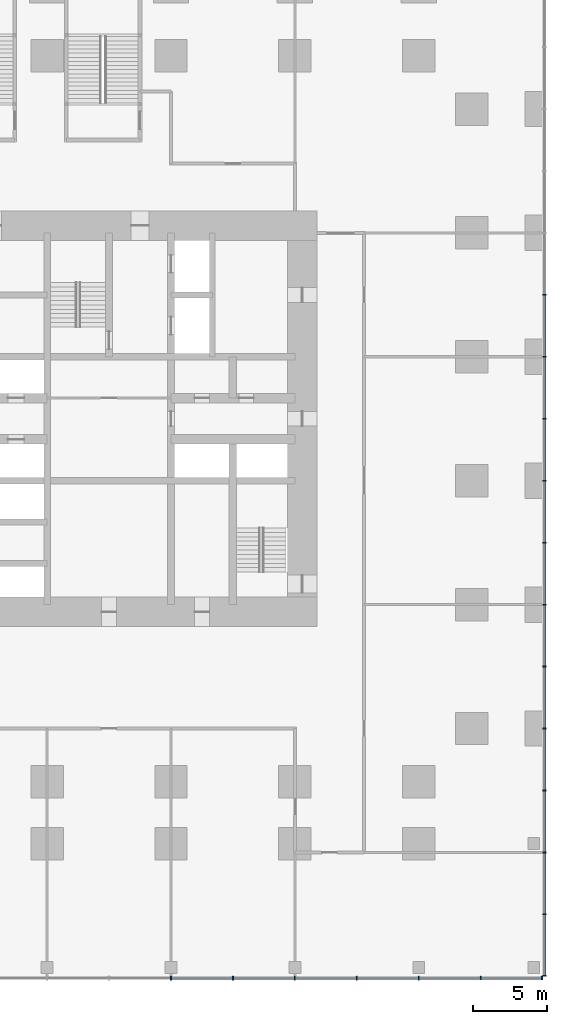
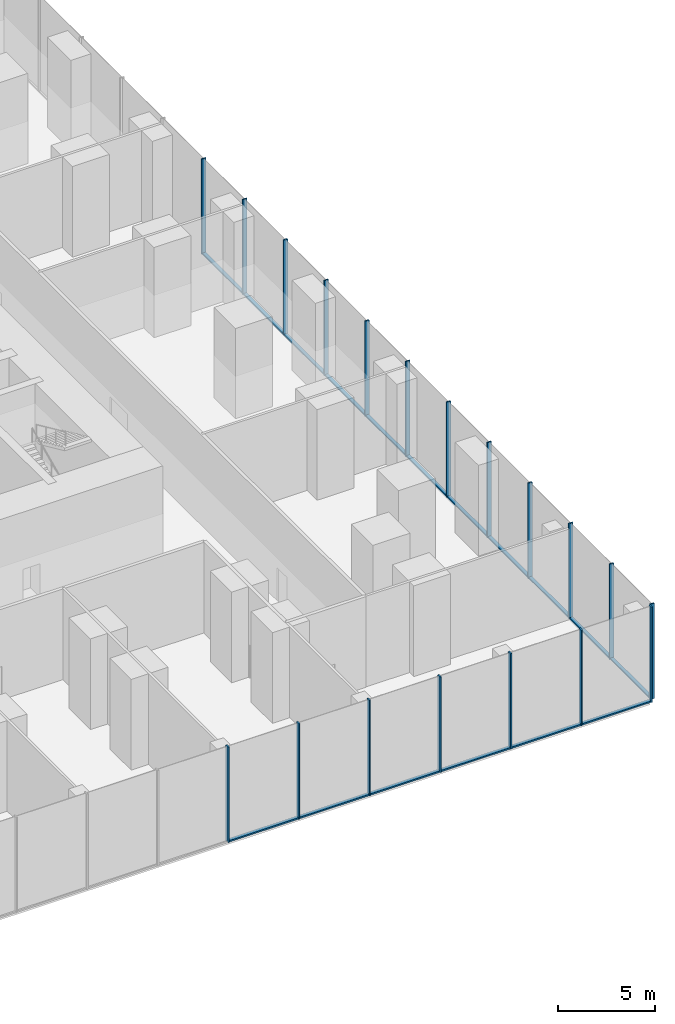
# One storey, part 19 of 32: 36 members, 2 elements without a shape of their own.
"""IFC4 building model written with IfcOpenShell, lengths in metres."""

from ifc_helpers import new_model, si_unit, direction, frame, origin, origin_2d, place, context, subcontext, project, spatial, rectangle, extrude, material, material_profile, profile_set, type_object, element, aggregate, save


model = new_model("IFC4")

# Units and contexts
model_context = context("Model", 3, precision=1e-05, world=origin(), true_north=direction((0.0, 1.0)))
body_context = subcontext(model_context, "Body", "Model", "MODEL_VIEW")
ifc_project = project(units=[si_unit("LENGTHUNIT", "METRE"), si_unit("AREAUNIT", "SQUARE_METRE"), si_unit("VOLUMEUNIT", "CUBIC_METRE"), si_unit("PLANEANGLEUNIT", "RADIAN"), si_unit("MASSUNIT", "GRAM", prefix="KILO")], contexts=[model_context])

# Site, building, storey
site_placement = place(None, origin())
site = spatial("IfcSite", under=ifc_project, at=site_placement, CompositionType="ELEMENT")
building_placement = place(site_placement, origin())
building = spatial("IfcBuilding", under=site, at=building_placement, Name="Dunama Terrace Hotel", CompositionType="ELEMENT")
storey_placement = place(building_placement, frame((0.0, 0.0, 6.0)))
storey = spatial("IfcBuildingStorey", under=building, at=storey_placement, Name="L01", CompositionType="ELEMENT", Elevation=6.0)

# Curtain wall, members
ifc_material_1 = material(Name="Aluminium curtain wall system", Category="aluminium")
curtain_wall_type = type_object("IfcCurtainWallType", Name="Podium storefront glazing CW-E", PredefinedType="NOTDEFINED", material=ifc_material_1)
curtain_wall_1_placement = place(storey_placement, origin())
curtain_wall_1 = element("IfcCurtainWall", 1, at=curtain_wall_1_placement, inside=storey, type_object=curtain_wall_type, Name="Podium storefront glazing CW-E L01", PredefinedType="NOTDEFINED")
ifc_material_2 = material(Name="Aluminium mullion", Category="aluminium")
ifc_material_profile_1 = material_profile(ifc_material_2, rectangle(XDim=0.080078125, YDim=0.25, at=origin_2d()), Name="CWE MULLION 80X250")
ifc_profile_set_1 = profile_set([ifc_material_profile_1], Name="Aluminium mullion")
member_type_1 = type_object("IfcMemberType", Name="CWE mullion 80x250", PredefinedType="MULLION", material=ifc_profile_set_1)
member_1_placement = place(storey_placement, frame((33.60009765625, -8.52490234375, 0.0), z_axis=(0.0, 0.0, 1.0), x_axis=(1.0, 0.0, 0.0)))
member_1 = element("IfcMember", 2, at=member_1_placement, type_object=member_type_1, Name="CWE mullion", PredefinedType="MULLION", context=body_context, shape_type="SweptSolid", body=[
    extrude(rectangle(XDim=0.080078125, YDim=0.25, at=origin_2d()), origin(), (0.0, 0.0, 1.0), 6.0),
])
member_2_placement = place(storey_placement, frame((37.800048828125, -8.52490234375, 0.0), z_axis=(0.0, 0.0, 1.0), x_axis=(1.0, 0.0, 0.0)))
member_2 = element("IfcMember", 3, at=member_2_placement, type_object=member_type_1, Name="CWE mullion", PredefinedType="MULLION", context=body_context, shape_type="SweptSolid", body=[
    extrude(rectangle(XDim=0.080078125, YDim=0.25, at=origin_2d()), origin(), (0.0, 0.0, 1.0), 6.0),
])
member_3_placement = place(storey_placement, frame((42.0, -8.52490234375, 0.0), z_axis=(0.0, 0.0, 1.0), x_axis=(1.0, 0.0, 0.0)))
member_3 = element("IfcMember", 4, at=member_3_placement, type_object=member_type_1, Name="CWE mullion", PredefinedType="MULLION", context=body_context, shape_type="SweptSolid", body=[
    extrude(rectangle(XDim=0.080078125, YDim=0.25, at=origin_2d()), origin(), (0.0, 0.0, 1.0), 6.0),
])
member_4_placement = place(storey_placement, frame((46.199951171875, -8.52490234375, 0.0), z_axis=(0.0, 0.0, 1.0), x_axis=(1.0, 0.0, 0.0)))
member_4 = element("IfcMember", 5, at=member_4_placement, type_object=member_type_1, Name="CWE mullion", PredefinedType="MULLION", context=body_context, shape_type="SweptSolid", body=[
    extrude(rectangle(XDim=0.080078125, YDim=0.25, at=origin_2d()), origin(), (0.0, 0.0, 1.0), 6.0),
])
member_5_placement = place(storey_placement, frame((50.39990234375, -8.52490234375, 0.0), z_axis=(0.0, 0.0, 1.0), x_axis=(1.0, 0.0, 0.0)))
member_5 = element("IfcMember", 6, at=member_5_placement, type_object=member_type_1, Name="CWE mullion", PredefinedType="MULLION", context=body_context, shape_type="SweptSolid", body=[
    extrude(rectangle(XDim=0.080078125, YDim=0.25, at=origin_2d()), origin(), (0.0, 0.0, 1.0), 6.0),
])
member_6_placement = place(storey_placement, frame((54.60009765625, -8.52490234375, 0.0), z_axis=(0.0, 0.0, 1.0), x_axis=(1.0, 0.0, 0.0)))
member_6 = element("IfcMember", 7, at=member_6_placement, type_object=member_type_1, Name="CWE mullion", PredefinedType="MULLION", context=body_context, shape_type="SweptSolid", body=[
    extrude(rectangle(XDim=0.080078125, YDim=0.25, at=origin_2d()), origin(), (0.0, 0.0, 1.0), 6.0),
])
member_7_placement = place(storey_placement, frame((58.760009765625, -8.52490234375, 0.0), z_axis=(0.0, 0.0, 1.0), x_axis=(1.0, 0.0, 0.0)))
member_7 = element("IfcMember", 8, at=member_7_placement, type_object=member_type_1, Name="CWE mullion", PredefinedType="MULLION", context=body_context, shape_type="SweptSolid", body=[
    extrude(rectangle(XDim=0.080078125, YDim=0.25, at=origin_2d()), origin(), (0.0, 0.0, 1.0), 6.0),
])

curtain_wall_2_placement = place(storey_placement, origin())
curtain_wall_2 = element("IfcCurtainWall", 9, at=curtain_wall_2_placement, inside=storey, type_object=curtain_wall_type, Name="Podium storefront glazing CW-E L01", PredefinedType="NOTDEFINED")
member_8_placement = place(storey_placement, frame((58.925048828125, -8.360107421875, 0.0), z_axis=(0.0, 0.0, 1.0), x_axis=(0.0, 1.0, 0.0)))
member_8 = element("IfcMember", 10, at=member_8_placement, type_object=member_type_1, Name="CWE mullion", PredefinedType="MULLION", context=body_context, shape_type="SweptSolid", body=[
    extrude(rectangle(XDim=0.080078125, YDim=0.25, at=origin_2d()), origin(), (0.0, 0.0, 1.0), 6.0),
])
member_9_placement = place(storey_placement, frame((58.925048828125, -4.199951171875, 0.0), z_axis=(0.0, 0.0, 1.0), x_axis=(0.0, 1.0, 0.0)))
member_9 = element("IfcMember", 11, at=member_9_placement, type_object=member_type_1, Name="CWE mullion", PredefinedType="MULLION", context=body_context, shape_type="SweptSolid", body=[
    extrude(rectangle(XDim=0.080078125, YDim=0.25, at=origin_2d()), origin(), (0.0, 0.0, 1.0), 6.0),
])
member_10_placement = place(storey_placement, frame((58.925048828125, 0.0, 0.0), z_axis=(0.0, 0.0, 1.0), x_axis=(0.0, 1.0, 0.0)))
member_10 = element("IfcMember", 12, at=member_10_placement, type_object=member_type_1, Name="CWE mullion", PredefinedType="MULLION", context=body_context, shape_type="SweptSolid", body=[
    extrude(rectangle(XDim=0.080078125, YDim=0.25, at=origin_2d()), origin(), (0.0, 0.0, 1.0), 6.0),
])
member_11_placement = place(storey_placement, frame((58.925048828125, 4.199951171875, 0.0), z_axis=(0.0, 0.0, 1.0), x_axis=(0.0, 1.0, 0.0)))
member_11 = element("IfcMember", 13, at=member_11_placement, type_object=member_type_1, Name="CWE mullion", PredefinedType="MULLION", context=body_context, shape_type="SweptSolid", body=[
    extrude(rectangle(XDim=0.080078125, YDim=0.25, at=origin_2d()), origin(), (0.0, 0.0, 1.0), 6.0),
])
member_12_placement = place(storey_placement, frame((58.925048828125, 8.39990234375, 0.0), z_axis=(0.0, 0.0, 1.0), x_axis=(0.0, 1.0, 0.0)))
member_12 = element("IfcMember", 14, at=member_12_placement, type_object=member_type_1, Name="CWE mullion", PredefinedType="MULLION", context=body_context, shape_type="SweptSolid", body=[
    extrude(rectangle(XDim=0.080078125, YDim=0.25, at=origin_2d()), origin(), (0.0, 0.0, 1.0), 6.0),
])
member_13_placement = place(storey_placement, frame((58.925048828125, 12.60009765625, 0.0), z_axis=(0.0, 0.0, 1.0), x_axis=(0.0, 1.0, 0.0)))
member_13 = element("IfcMember", 15, at=member_13_placement, type_object=member_type_1, Name="CWE mullion", PredefinedType="MULLION", context=body_context, shape_type="SweptSolid", body=[
    extrude(rectangle(XDim=0.080078125, YDim=0.25, at=origin_2d()), origin(), (0.0, 0.0, 1.0), 6.0),
])
member_14_placement = place(storey_placement, frame((58.925048828125, 16.800048828125, 0.0), z_axis=(0.0, 0.0, 1.0), x_axis=(0.0, 1.0, 0.0)))
member_14 = element("IfcMember", 16, at=member_14_placement, type_object=member_type_1, Name="CWE mullion", PredefinedType="MULLION", context=body_context, shape_type="SweptSolid", body=[
    extrude(rectangle(XDim=0.080078125, YDim=0.25, at=origin_2d()), origin(), (0.0, 0.0, 1.0), 6.0),
])
member_15_placement = place(storey_placement, frame((58.925048828125, 21.0, 0.0), z_axis=(0.0, 0.0, 1.0), x_axis=(0.0, 1.0, 0.0)))
member_15 = element("IfcMember", 17, at=member_15_placement, type_object=member_type_1, Name="CWE mullion", PredefinedType="MULLION", context=body_context, shape_type="SweptSolid", body=[
    extrude(rectangle(XDim=0.080078125, YDim=0.25, at=origin_2d()), origin(), (0.0, 0.0, 1.0), 6.0),
])
member_16_placement = place(storey_placement, frame((58.925048828125, 25.199951171875, 0.0), z_axis=(0.0, 0.0, 1.0), x_axis=(0.0, 1.0, 0.0)))
member_16 = element("IfcMember", 18, at=member_16_placement, type_object=member_type_1, Name="CWE mullion", PredefinedType="MULLION", context=body_context, shape_type="SweptSolid", body=[
    extrude(rectangle(XDim=0.080078125, YDim=0.25, at=origin_2d()), origin(), (0.0, 0.0, 1.0), 6.0),
])
member_17_placement = place(storey_placement, frame((58.925048828125, 29.39990234375, 0.0), z_axis=(0.0, 0.0, 1.0), x_axis=(0.0, 1.0, 0.0)))
member_17 = element("IfcMember", 19, at=member_17_placement, type_object=member_type_1, Name="CWE mullion", PredefinedType="MULLION", context=body_context, shape_type="SweptSolid", body=[
    extrude(rectangle(XDim=0.080078125, YDim=0.25, at=origin_2d()), origin(), (0.0, 0.0, 1.0), 6.0),
])
member_18_placement = place(storey_placement, frame((58.925048828125, 33.60009765625, 0.0), z_axis=(0.0, 0.0, 1.0), x_axis=(0.0, 1.0, 0.0)))
member_18 = element("IfcMember", 20, at=member_18_placement, type_object=member_type_1, Name="CWE mullion", PredefinedType="MULLION", context=body_context, shape_type="SweptSolid", body=[
    extrude(rectangle(XDim=0.080078125, YDim=0.25, at=origin_2d()), origin(), (0.0, 0.0, 1.0), 6.0),
])
member_19_placement = place(storey_placement, frame((58.925048828125, 37.800048828125, 0.0), z_axis=(0.0, 0.0, 1.0), x_axis=(0.0, 1.0, 0.0)))
member_19 = element("IfcMember", 21, at=member_19_placement, type_object=member_type_1, Name="CWE mullion", PredefinedType="MULLION", context=body_context, shape_type="SweptSolid", body=[
    extrude(rectangle(XDim=0.080078125, YDim=0.25, at=origin_2d()), origin(), (0.0, 0.0, 1.0), 6.0),
])

# Member
ifc_material_3 = material(Name="Aluminium transom", Category="aluminium")
ifc_material_profile_2 = material_profile(ifc_material_3, rectangle(XDim=0.199951171875, YDim=0.090087890625, at=origin_2d()), Name="CWE TRANSOM 200X90")
ifc_profile_set_2 = profile_set([ifc_material_profile_2], Name="Aluminium transom")
member_type_2 = type_object("IfcMemberType", Name="CWE transom 200x90", PredefinedType="USERDEFINED", material=ifc_profile_set_2)
member_20_placement = place(storey_placement, frame((33.639892578125, -8.52490234375, 0.044921875), z_axis=(1.0, 0.0, 0.0), x_axis=(0.0, 1.0, 0.0)))
member_20 = element("IfcMember", 22, at=member_20_placement, type_object=member_type_2, Name="CWE transom", ObjectType="TRANSOM", PredefinedType="USERDEFINED", context=body_context, shape_type="SweptSolid", body=[
    extrude(rectangle(XDim=0.199951171875, YDim=0.090087890625, at=origin_2d()), origin(), (0.0, 0.0, 1.0), 4.1201171875),
])

member_21_placement = place(storey_placement, frame((37.840087890625, -8.52490234375, 0.044921875), z_axis=(1.0, 0.0, 0.0), x_axis=(0.0, 1.0, 0.0)))
member_21 = element("IfcMember", 23, at=member_21_placement, type_object=member_type_2, Name="CWE transom", ObjectType="TRANSOM", PredefinedType="USERDEFINED", context=body_context, shape_type="SweptSolid", body=[
    extrude(rectangle(XDim=0.199951171875, YDim=0.090087890625, at=origin_2d()), origin(), (0.0, 0.0, 1.0), 4.119873046875),
])

member_22_placement = place(storey_placement, frame((42.0400390625, -8.52490234375, 0.044921875), z_axis=(1.0, 0.0, 0.0), x_axis=(0.0, 1.0, 0.0)))
member_22 = element("IfcMember", 24, at=member_22_placement, type_object=member_type_2, Name="CWE transom", ObjectType="TRANSOM", PredefinedType="USERDEFINED", context=body_context, shape_type="SweptSolid", body=[
    extrude(rectangle(XDim=0.199951171875, YDim=0.090087890625, at=origin_2d()), origin(), (0.0, 0.0, 1.0), 4.119873046875),
])

member_23_placement = place(storey_placement, frame((46.239990234375, -8.52490234375, 0.044921875), z_axis=(1.0, 0.0, 0.0), x_axis=(0.0, 1.0, 0.0)))
member_23 = element("IfcMember", 25, at=member_23_placement, type_object=member_type_2, Name="CWE transom", ObjectType="TRANSOM", PredefinedType="USERDEFINED", context=body_context, shape_type="SweptSolid", body=[
    extrude(rectangle(XDim=0.199951171875, YDim=0.090087890625, at=origin_2d()), origin(), (0.0, 0.0, 1.0), 4.1201171875),
])

member_24_placement = place(storey_placement, frame((50.43994140625, -8.52490234375, 0.044921875), z_axis=(1.0, 0.0, 0.0), x_axis=(0.0, 1.0, 0.0)))
member_24 = element("IfcMember", 26, at=member_24_placement, type_object=member_type_2, Name="CWE transom", ObjectType="TRANSOM", PredefinedType="USERDEFINED", context=body_context, shape_type="SweptSolid", body=[
    extrude(rectangle(XDim=0.199951171875, YDim=0.090087890625, at=origin_2d()), origin(), (0.0, 0.0, 1.0), 4.1201171875),
])

member_25_placement = place(storey_placement, frame((54.639892578125, -8.52490234375, 0.044921875), z_axis=(1.0, 0.0, 0.0), x_axis=(0.0, 1.0, 0.0)))
member_25 = element("IfcMember", 27, at=member_25_placement, type_object=member_type_2, Name="CWE transom", ObjectType="TRANSOM", PredefinedType="USERDEFINED", context=body_context, shape_type="SweptSolid", body=[
    extrude(rectangle(XDim=0.199951171875, YDim=0.090087890625, at=origin_2d()), origin(), (0.0, 0.0, 1.0), 4.080078125),
])

aggregate(curtain_wall_1, [member_1, member_2, member_3, member_4, member_5, member_6, member_7, member_20, member_21, member_22, member_23, member_24, member_25])

member_26_placement = place(storey_placement, frame((58.925048828125, -8.320068359375, 0.044921875), z_axis=(0.0, 1.0, 0.0), x_axis=(-1.0, 0.0, 0.0)))
member_26 = element("IfcMember", 28, at=member_26_placement, type_object=member_type_2, Name="CWE transom", ObjectType="TRANSOM", PredefinedType="USERDEFINED", context=body_context, shape_type="SweptSolid", body=[
    extrude(rectangle(XDim=0.199951171875, YDim=0.090087890625, at=origin_2d()), origin(), (0.0, 0.0, 1.0), 4.080078125),
])

member_27_placement = place(storey_placement, frame((58.925048828125, -4.159912109375, 0.044921875), z_axis=(0.0, 1.0, 0.0), x_axis=(-1.0, 0.0, 0.0)))
member_27 = element("IfcMember", 29, at=member_27_placement, type_object=member_type_2, Name="CWE transom", ObjectType="TRANSOM", PredefinedType="USERDEFINED", context=body_context, shape_type="SweptSolid", body=[
    extrude(rectangle(XDim=0.199951171875, YDim=0.090087890625, at=origin_2d()), origin(), (0.0, 0.0, 1.0), 4.119873046875),
])

member_28_placement = place(storey_placement, frame((58.925048828125, 0.0400390625, 0.044921875), z_axis=(0.0, 1.0, 0.0), x_axis=(-1.0, 0.0, 0.0)))
member_28 = element("IfcMember", 30, at=member_28_placement, type_object=member_type_2, Name="CWE transom", ObjectType="TRANSOM", PredefinedType="USERDEFINED", context=body_context, shape_type="SweptSolid", body=[
    extrude(rectangle(XDim=0.199951171875, YDim=0.090087890625, at=origin_2d()), origin(), (0.0, 0.0, 1.0), 4.119873046875),
])

member_29_placement = place(storey_placement, frame((58.925048828125, 4.239990234375, 0.044921875), z_axis=(0.0, 1.0, 0.0), x_axis=(-1.0, 0.0, 0.0)))
member_29 = element("IfcMember", 31, at=member_29_placement, type_object=member_type_2, Name="CWE transom", ObjectType="TRANSOM", PredefinedType="USERDEFINED", context=body_context, shape_type="SweptSolid", body=[
    extrude(rectangle(XDim=0.199951171875, YDim=0.090087890625, at=origin_2d()), origin(), (0.0, 0.0, 1.0), 4.1201171875),
])

member_30_placement = place(storey_placement, frame((58.925048828125, 8.43994140625, 0.044921875), z_axis=(0.0, 1.0, 0.0), x_axis=(-1.0, 0.0, 0.0)))
member_30 = element("IfcMember", 32, at=member_30_placement, type_object=member_type_2, Name="CWE transom", ObjectType="TRANSOM", PredefinedType="USERDEFINED", context=body_context, shape_type="SweptSolid", body=[
    extrude(rectangle(XDim=0.199951171875, YDim=0.090087890625, at=origin_2d()), origin(), (0.0, 0.0, 1.0), 4.1201171875),
])

member_31_placement = place(storey_placement, frame((58.925048828125, 12.639892578125, 0.044921875), z_axis=(0.0, 1.0, 0.0), x_axis=(-1.0, 0.0, 0.0)))
member_31 = element("IfcMember", 33, at=member_31_placement, type_object=member_type_2, Name="CWE transom", ObjectType="TRANSOM", PredefinedType="USERDEFINED", context=body_context, shape_type="SweptSolid", body=[
    extrude(rectangle(XDim=0.199951171875, YDim=0.090087890625, at=origin_2d()), origin(), (0.0, 0.0, 1.0), 4.1201171875),
])

member_32_placement = place(storey_placement, frame((58.925048828125, 16.840087890625, 0.044921875), z_axis=(0.0, 1.0, 0.0), x_axis=(-1.0, 0.0, 0.0)))
member_32 = element("IfcMember", 34, at=member_32_placement, type_object=member_type_2, Name="CWE transom", ObjectType="TRANSOM", PredefinedType="USERDEFINED", context=body_context, shape_type="SweptSolid", body=[
    extrude(rectangle(XDim=0.199951171875, YDim=0.090087890625, at=origin_2d()), origin(), (0.0, 0.0, 1.0), 4.119873046875),
])

member_33_placement = place(storey_placement, frame((58.925048828125, 21.0400390625, 0.044921875), z_axis=(0.0, 1.0, 0.0), x_axis=(-1.0, 0.0, 0.0)))
member_33 = element("IfcMember", 35, at=member_33_placement, type_object=member_type_2, Name="CWE transom", ObjectType="TRANSOM", PredefinedType="USERDEFINED", context=body_context, shape_type="SweptSolid", body=[
    extrude(rectangle(XDim=0.199951171875, YDim=0.090087890625, at=origin_2d()), origin(), (0.0, 0.0, 1.0), 4.119873046875),
])

member_34_placement = place(storey_placement, frame((58.925048828125, 25.239990234375, 0.044921875), z_axis=(0.0, 1.0, 0.0), x_axis=(-1.0, 0.0, 0.0)))
member_34 = element("IfcMember", 36, at=member_34_placement, type_object=member_type_2, Name="CWE transom", ObjectType="TRANSOM", PredefinedType="USERDEFINED", context=body_context, shape_type="SweptSolid", body=[
    extrude(rectangle(XDim=0.199951171875, YDim=0.090087890625, at=origin_2d()), origin(), (0.0, 0.0, 1.0), 4.1201171875),
])

member_35_placement = place(storey_placement, frame((58.925048828125, 29.43994140625, 0.044921875), z_axis=(0.0, 1.0, 0.0), x_axis=(-1.0, 0.0, 0.0)))
member_35 = element("IfcMember", 37, at=member_35_placement, type_object=member_type_2, Name="CWE transom", ObjectType="TRANSOM", PredefinedType="USERDEFINED", context=body_context, shape_type="SweptSolid", body=[
    extrude(rectangle(XDim=0.199951171875, YDim=0.090087890625, at=origin_2d()), origin(), (0.0, 0.0, 1.0), 4.1201171875),
])

member_36_placement = place(storey_placement, frame((58.925048828125, 33.639892578125, 0.044921875), z_axis=(0.0, 1.0, 0.0), x_axis=(-1.0, 0.0, 0.0)))
member_36 = element("IfcMember", 38, at=member_36_placement, type_object=member_type_2, Name="CWE transom", ObjectType="TRANSOM", PredefinedType="USERDEFINED", context=body_context, shape_type="SweptSolid", body=[
    extrude(rectangle(XDim=0.199951171875, YDim=0.090087890625, at=origin_2d()), origin(), (0.0, 0.0, 1.0), 4.1201171875),
])

aggregate(curtain_wall_2, [member_8, member_9, member_10, member_11, member_12, member_13, member_14, member_15, member_16, member_17, member_18, member_19, member_26, member_27, member_28, member_29, member_30, member_31, member_32, member_33, member_34, member_35, member_36])

save(model, "model.ifc")
